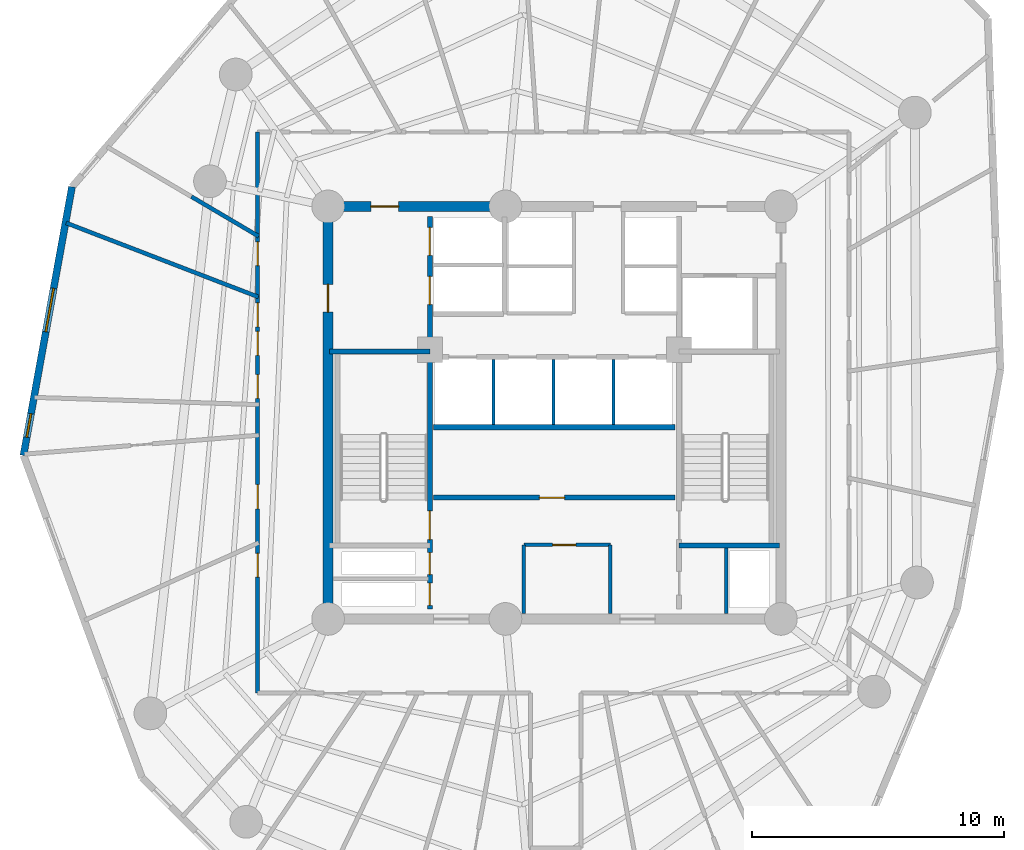
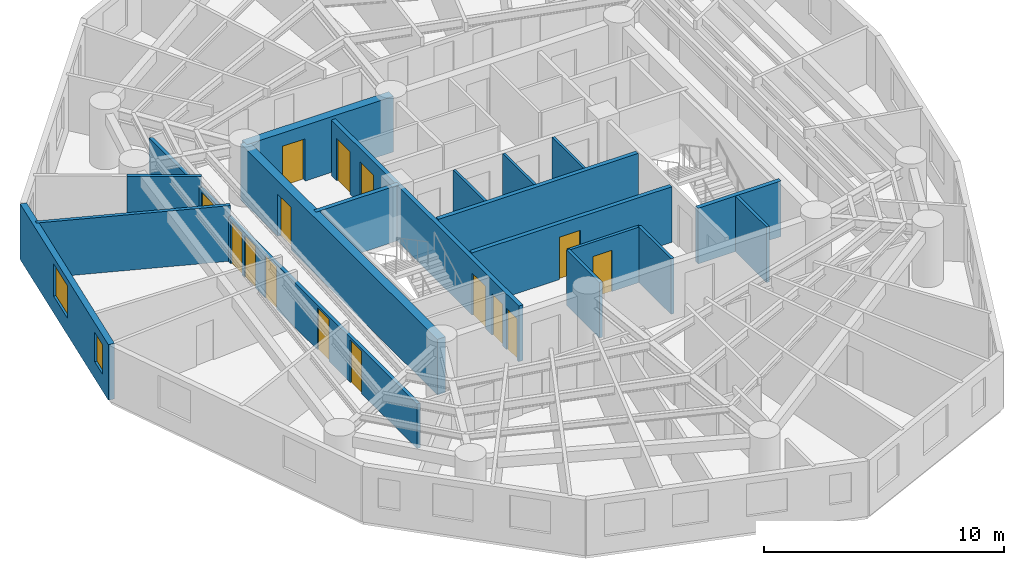
# One storey, part 4 of 8: 18 walls, 15 doors, 2 windows, 17 openings.
"""IFC4 building model written with IfcOpenShell, lengths in metres."""

from ifc_helpers import new_model, si_unit, direction, frame, frame_2d, origin, origin_with_axes, place, context, subcontext, project, spatial, rectangle, extrude, source, transform, mapped, material, layer, layer_set, type_object, element, fill, save


model = new_model("IFC4")

# Units and contexts
model_context = context("Model", 3, precision=1e-05, world=origin(), true_north=direction((0.0, 1.0)))
body_context = subcontext(model_context, "Body", "Model", "MODEL_VIEW")
ifc_project = project(units=[si_unit("LENGTHUNIT", "METRE"), si_unit("AREAUNIT", "SQUARE_METRE"), si_unit("VOLUMEUNIT", "CUBIC_METRE"), si_unit("PLANEANGLEUNIT", "RADIAN"), si_unit("MASSUNIT", "GRAM", prefix="KILO")], contexts=[model_context])

# Site, building, storey
site_placement = place(None, origin())
site = spatial("IfcSite", under=ifc_project, at=site_placement, CompositionType="ELEMENT")
building_placement = place(site_placement, origin())
building = spatial("IfcBuilding", under=site, at=building_placement, Name="Karkom Vertical University and Central Library", CompositionType="ELEMENT")
storey_placement = place(building_placement, frame((0.0, 0.0, 162.64990234375)))
storey = spatial("IfcBuildingStorey", under=building, at=storey_placement, Name="L46", CompositionType="ELEMENT", Elevation=162.64990234375)

# Wall, openings, windows
ifc_material_1 = material(Name="Brick-faced precast concrete C45/55", Category="masonry")
ifc_layer_1 = layer(ifc_material_1, 0.280029296875)
ifc_layer_set_1 = layer_set([ifc_layer_1], Name="Brick-faced precast concrete C45/55")
wall_type_1 = type_object("IfcWallType", Name="ENV-WL-BRK-280", PredefinedType="SOLIDWALL", material=ifc_layer_set_1)
wall_1_placement = place(storey_placement, frame((9.3193359375, 35.47900390625, 0.0), z_axis=(0.0, 0.0, 1.0), x_axis=(-0.177764832346, -0.984072997486, 0.0)))
wall_1 = element("IfcWall", 1, at=wall_1_placement, inside=storey, type_object=wall_type_1, Name="Level 46 Brick-Faced Precast Facade Wall 01", PredefinedType="SOLIDWALL", context=body_context, shape_type="SweptSolid", body=[
    extrude(rectangle(XDim=10.8525390625, YDim=0.280029296875, at=frame_2d((5.42626953125, 0.0))), origin(), (0.0, 0.0, 1.0), 2.8251953125),
])
opening_1_placement = place(wall_1_placement, frame((4.104248046875, 0.0, 0.85009765625)))
opening_1 = element("IfcOpeningElement", 2, at=opening_1_placement, cuts=wall_1, Name="Opening WN-08", PredefinedType="OPENING", context=body_context, shape_type="SweptSolid", body=[
    extrude(rectangle(XDim=1.75, YDim=1.64990234375, at=frame_2d((0.875, 0.824951171875))), frame((0.0, 0.14990234375, 0.0), z_axis=(0.0, -1.0, 0.0), x_axis=(1.0, 0.0, 0.0)), (0.0, 0.0, 1.0), 0.300048828125),
])
opening_2_placement = place(wall_1_placement, frame((9.16748046875, 0.0, 0.85009765625)))
opening_2 = element("IfcOpeningElement", 3, at=opening_2_placement, cuts=wall_1, Name="Opening WN-12", PredefinedType="OPENING", context=body_context, shape_type="SweptSolid", body=[
    extrude(rectangle(XDim=0.949951171875, YDim=1.5, at=frame_2d((0.47509765625, 0.75))), frame((0.0, 0.14990234375, 0.0), z_axis=(0.0, -1.0, 0.0), x_axis=(1.0, 0.0, 0.0)), (0.0, 0.0, 1.0), 0.300048828125),
])
ifc_material_2 = material(Name="Aluminium thermal-break frame with solar-control IGU", Category="aluminium")
window_type_1 = type_object("IfcWindowType", Name="ENV-WIN-WN-12", PartitioningType="SINGLE_PANEL", PredefinedType="WINDOW", material=ifc_material_2)
shared_shape_1 = source(origin_with_axes(), body_context, "Body", "SweptSolid", [
    extrude(rectangle(XDim=0.949951171875, YDim=1.5, at=frame_2d((0.47509765625, 0.75))), frame((0.0, 0.030029296875, 0.0), z_axis=(0.0, -1.0, 0.0), x_axis=(1.0, 0.0, 0.0)), (0.0, 0.0, 1.0), 0.06005859375),
])
window_1_placement = place(opening_2_placement, origin())
window_1 = element("IfcWindow", 4, at=window_1_placement, inside=storey, type_object=window_type_1, Name="Level 46 Punched Window 1.2", OverallHeight=1.5, OverallWidth=0.949951171875, PartitioningType="SINGLE_PANEL", PredefinedType="WINDOW", context=body_context, shape_type="MappedRepresentation", body=[
    mapped(shared_shape_1, transform((0.0, 0.0, 0.0), scale=1.0)),
])
fill(opening_2, window_1)
window_type_2 = type_object("IfcWindowType", Name="ENV-WIN-WN-08", PartitioningType="SINGLE_PANEL", PredefinedType="WINDOW", material=ifc_material_2)
shared_shape_2 = source(origin_with_axes(), body_context, "Body", "SweptSolid", [
    extrude(rectangle(XDim=1.75, YDim=1.64990234375, at=frame_2d((0.875, 0.824951171875))), frame((0.0, 0.030029296875, 0.0), z_axis=(0.0, -1.0, 0.0), x_axis=(1.0, 0.0, 0.0)), (0.0, 0.0, 1.0), 0.06005859375),
])
window_2_placement = place(opening_1_placement, origin())
window_2 = element("IfcWindow", 5, at=window_2_placement, inside=storey, type_object=window_type_2, Name="Level 46 Punched Window 1.1", OverallHeight=1.64990234375, OverallWidth=1.75, PartitioningType="SINGLE_PANEL", PredefinedType="WINDOW", context=body_context, shape_type="MappedRepresentation", body=[
    mapped(shared_shape_2, transform((0.0, 0.0, 0.0), scale=1.0)),
])
fill(opening_1, window_2)

# Wall, openings, doors
ifc_material_3 = material(Name="Insulated metal-stud drywall 160mm", Category="gypsum")
ifc_layer_2 = layer(ifc_material_3, 0.159912109375)
ifc_layer_set_2 = layer_set([ifc_layer_2], Name="Insulated metal-stud drywall 160mm")
wall_type_2 = type_object("IfcWallType", Name="INT-WL-COR-160", PredefinedType="PARTITIONING", material=ifc_layer_set_2)
wall_2_placement = place(storey_placement, frame((16.699951171875, 15.35009765625, 0.0), z_axis=(0.0, 0.0, 1.0), x_axis=(0.0, 1.0, 0.0)))
wall_2 = element("IfcWall", 6, at=wall_2_placement, inside=storey, type_object=wall_type_2, Name="Level 46 Interior Partition Wall L46-CORW-CW-002", PredefinedType="PARTITIONING", context=body_context, shape_type="SweptSolid", body=[
    extrude(rectangle(XDim=22.2998046875, YDim=0.159912109375, at=frame_2d((11.14990234375, 0.0))), origin(), (0.0, 0.0, 1.0), 2.275146484375),
])
opening_3_placement = place(wall_2_placement, frame((11.715087890625, 0.0, 0.0)))
opening_3 = element("IfcOpeningElement", 7, at=opening_3_placement, cuts=wall_2, Name="Opening D-RM1", PredefinedType="OPENING", context=body_context, shape_type="SweptSolid", body=[
    extrude(rectangle(XDim=0.949951171875, YDim=2.14990234375, at=frame_2d((0.47509765625, 1.074951171875))), frame((0.0, 0.08984375, 0.0), z_axis=(0.0, -1.0, 0.0), x_axis=(1.0, 0.0, 0.0)), (0.0, 0.0, 1.0), 0.179931640625),
])
opening_4_placement = place(wall_2_placement, frame((7.330078125, 0.0, 0.0)))
opening_4 = element("IfcOpeningElement", 8, at=opening_4_placement, cuts=wall_2, Name="Opening FD-RM2", PredefinedType="OPENING", context=body_context, shape_type="SweptSolid", body=[
    extrude(rectangle(XDim=0.9599609375, YDim=2.14990234375, at=frame_2d((0.47998046875, 1.074951171875))), frame((0.0, 0.08984375, 0.0), z_axis=(0.0, -1.0, 0.0), x_axis=(1.0, 0.0, 0.0)), (0.0, 0.0, 1.0), 0.179931640625),
])
opening_5_placement = place(wall_2_placement, frame((4.610107421875, 0.0, 0.0)))
opening_5 = element("IfcOpeningElement", 9, at=opening_5_placement, cuts=wall_2, Name="Opening D-RM1", PredefinedType="OPENING", context=body_context, shape_type="SweptSolid", body=[
    extrude(rectangle(XDim=0.949951171875, YDim=2.14990234375, at=frame_2d((0.47509765625, 1.074951171875))), frame((0.0, 0.08984375, 0.0), z_axis=(0.0, -1.0, 0.0), x_axis=(1.0, 0.0, 0.0)), (0.0, 0.0, 1.0), 0.179931640625),
])
opening_6_placement = place(wall_2_placement, frame((16.990478515625, 0.0, 0.0)))
opening_6 = element("IfcOpeningElement", 10, at=opening_6_placement, cuts=wall_2, Name="Opening D-RM1", PredefinedType="OPENING", context=body_context, shape_type="SweptSolid", body=[
    extrude(rectangle(XDim=0.949951171875, YDim=2.14990234375, at=frame_2d((0.47509765625, 1.074951171875))), frame((0.0, 0.08984375, 0.0), z_axis=(0.0, -1.0, 0.0), x_axis=(1.0, 0.0, 0.0)), (0.0, 0.0, 1.0), 0.179931640625),
])
opening_7_placement = place(wall_2_placement, frame((14.56005859375, 0.0, 0.0)))
opening_7 = element("IfcOpeningElement", 11, at=opening_7_placement, cuts=wall_2, Name="Opening D-RM1", PredefinedType="OPENING", context=body_context, shape_type="SweptSolid", body=[
    extrude(rectangle(XDim=0.949951171875, YDim=2.14990234375, at=frame_2d((0.47509765625, 1.074951171875))), frame((0.0, 0.08984375, 0.0), z_axis=(0.0, -1.0, 0.0), x_axis=(1.0, 0.0, 0.0)), (0.0, 0.0, 1.0), 0.179931640625),
])
opening_8_placement = place(wall_2_placement, frame((13.429931640625, 0.0, 0.0)))
opening_8 = element("IfcOpeningElement", 12, at=opening_8_placement, cuts=wall_2, Name="Opening D-RM1", PredefinedType="OPENING", context=body_context, shape_type="SweptSolid", body=[
    extrude(rectangle(XDim=0.949951171875, YDim=2.14990234375, at=frame_2d((0.47509765625, 1.074951171875))), frame((0.0, 0.08984375, 0.0), z_axis=(0.0, -1.0, 0.0), x_axis=(1.0, 0.0, 0.0)), (0.0, 0.0, 1.0), 0.179931640625),
])
ifc_material_4 = material(Name="Fire-rated oak veneer door", Category="wood")
door_type_1 = type_object("IfcDoorType", Name="INT-DR-FRM2", OperationType="NOTDEFINED", PredefinedType="DOOR", material=ifc_material_4)
shared_shape_3 = source(origin_with_axes(), body_context, "Body", "SweptSolid", [
    extrude(rectangle(XDim=0.9599609375, YDim=2.14990234375, at=frame_2d((0.47998046875, 1.074951171875))), frame((0.0, 0.02490234375, 0.0), z_axis=(0.0, -1.0, 0.0), x_axis=(1.0, 0.0, 0.0)), (0.0, 0.0, 1.0), 0.050048828125),
])
door_1_placement = place(opening_4_placement, origin())
door_1 = element("IfcDoor", 13, at=door_1_placement, inside=storey, type_object=door_type_1, Name="Level 46 Room Entry Door 010", OperationType="SINGLE_SWING_RIGHT", OverallHeight=2.14990234375, OverallWidth=0.9599609375, PredefinedType="DOOR", context=body_context, shape_type="MappedRepresentation", body=[
    mapped(shared_shape_3, transform((0.0, 0.0, 0.0), scale=1.0)),
])
fill(opening_4, door_1)
ifc_material_5 = material(Name="Solid-core oak veneer door", Category="wood")
door_type_2 = type_object("IfcDoorType", Name="INT-DR-RM1", OperationType="NOTDEFINED", PredefinedType="DOOR", material=ifc_material_5)
shared_shape_4 = source(origin_with_axes(), body_context, "Body", "SweptSolid", [
    extrude(rectangle(XDim=0.949951171875, YDim=2.14990234375, at=frame_2d((0.47509765625, 1.074951171875))), frame((0.0, 0.02490234375, 0.0), z_axis=(0.0, -1.0, 0.0), x_axis=(1.0, 0.0, 0.0)), (0.0, 0.0, 1.0), 0.050048828125),
])
door_2_placement = place(opening_3_placement, origin())
door_2 = element("IfcDoor", 14, at=door_2_placement, inside=storey, type_object=door_type_2, Name="Level 46 Room Entry Door 000", OperationType="SINGLE_SWING_LEFT", OverallHeight=2.14990234375, OverallWidth=0.949951171875, PredefinedType="DOOR", context=body_context, shape_type="MappedRepresentation", body=[
    mapped(shared_shape_4, transform((0.0, 0.0, 0.0), scale=1.0)),
])
fill(opening_3, door_2)
door_3_placement = place(opening_5_placement, origin())
door_3 = element("IfcDoor", 15, at=door_3_placement, inside=storey, type_object=door_type_2, Name="Level 46 Room Entry Door 020", OperationType="SINGLE_SWING_LEFT", OverallHeight=2.14990234375, OverallWidth=0.949951171875, PredefinedType="DOOR", context=body_context, shape_type="MappedRepresentation", body=[
    mapped(shared_shape_4, transform((0.0, 0.0, 0.0), scale=1.0)),
])
fill(opening_5, door_3)
door_4_placement = place(opening_6_placement, origin())
door_4 = element("IfcDoor", 16, at=door_4_placement, inside=storey, type_object=door_type_2, Name="Level 46 Room Entry Door 250", OperationType="SINGLE_SWING_LEFT", OverallHeight=2.14990234375, OverallWidth=0.949951171875, PredefinedType="DOOR", context=body_context, shape_type="MappedRepresentation", body=[
    mapped(shared_shape_4, transform((0.0, 0.0, 0.0), scale=1.0)),
])
fill(opening_6, door_4)
door_5_placement = place(opening_7_placement, origin())
door_5 = element("IfcDoor", 17, at=door_5_placement, inside=storey, type_object=door_type_2, Name="Level 46 Room Entry Door 260", OperationType="SINGLE_SWING_RIGHT", OverallHeight=2.14990234375, OverallWidth=0.949951171875, PredefinedType="DOOR", context=body_context, shape_type="MappedRepresentation", body=[
    mapped(shared_shape_4, transform((0.0, 0.0, 0.0), scale=1.0)),
])
fill(opening_7, door_5)
door_6_placement = place(opening_8_placement, origin())
door_6 = element("IfcDoor", 18, at=door_6_placement, inside=storey, type_object=door_type_2, Name="Level 46 Room Entry Door 270", OperationType="SINGLE_SWING_LEFT", OverallHeight=2.14990234375, OverallWidth=0.949951171875, PredefinedType="DOOR", context=body_context, shape_type="MappedRepresentation", body=[
    mapped(shared_shape_4, transform((0.0, 0.0, 0.0), scale=1.0)),
])
fill(opening_8, door_6)

# Walls
wall_3_placement = place(storey_placement, frame((16.72802734375, 31.09912109375, 0.0), z_axis=(0.0, 0.0, 1.0), x_axis=(-0.933150299974, 0.359486463805, 0.0)))
element("IfcWall", 19, at=wall_3_placement, inside=storey, type_object=wall_type_2, Name="Level 46 Interior Partition Wall L46-PW-033", PredefinedType="PARTITIONING", context=body_context, shape_type="SweptSolid", body=[
    extrude(rectangle(XDim=8.18896484375, YDim=0.159912109375, at=frame_2d((4.094482421875, 0.0))), origin(), (0.0, 0.0, 1.0), 2.8251953125),
])
wall_4_placement = place(storey_placement, frame((16.73876953125, 33.510986328125, 0.0), z_axis=(0.0, 0.0, 1.0), x_axis=(-0.861200683606, 0.508265071155, 0.0)))
element("IfcWall", 20, at=wall_4_placement, inside=storey, type_object=wall_type_2, Name="Level 46 Interior Partition Wall L46-PW-031", PredefinedType="PARTITIONING", context=body_context, shape_type="SweptSolid", body=[
    extrude(rectangle(XDim=3.10107421875, YDim=0.159912109375, at=frame_2d((1.550537109375, 0.0))), origin(), (0.0, 0.0, 1.0), 2.8251953125),
])
ifc_material_6 = material(Name="Moisture-resistant drywall 120mm", Category="gypsum")
ifc_layer_3 = layer(ifc_material_6, 0.1201171875)
ifc_layer_set_3 = layer_set([ifc_layer_3], Name="Moisture-resistant drywall 120mm")
wall_type_3 = type_object("IfcWallType", Name="INT-WL-INT-120H", PredefinedType="PARTITIONING", material=ifc_layer_set_3)
for number, where, z_axis, x_axis, name in (
    (21, (26.080078125, 26.02001953125, 0.0), (0.0, 0.0, 1.0), (0.0, 1.0, 0.0), "Level 46 Interior Partition Wall L46-CW-PM-DIV1"),
    (22, (28.4599609375, 26.02001953125, 0.0), (0.0, 0.0, 1.0), (0.0, 1.0, 0.0), "Level 46 Interior Partition Wall L46-CW-PM-DIV2"),
    (23, (30.840087890625, 26.02001953125, 0.0), (0.0, 0.0, 1.0), (0.0, 1.0, 0.0), "Level 46 Interior Partition Wall L46-CW-PM-DIV3"),
):
    element("IfcWall", number, at=place(storey_placement, frame(where, z_axis=z_axis, x_axis=x_axis)), inside=storey, type_object=wall_type_3, Name=name, PredefinedType="PARTITIONING", context=body_context, shape_type="SweptSolid", body=[
        extrude(rectangle(XDim=2.60009765625, YDim=0.1201171875, at=frame_2d((1.300048828125, 0.0))), origin(), (0.0, 0.0, 1.0), 2.8251953125),
    ])

# Wall, opening, door
ifc_material_7 = material(Name="Metal-stud gypsum partition 140mm", Category="gypsum")
ifc_layer_4 = layer(ifc_material_7, 0.139892578125)
ifc_layer_set_4 = layer_set([ifc_layer_4], Name="Metal-stud gypsum partition 140mm")
wall_type_4 = type_object("IfcWallType", Name="INT-WL-SUB-140", PredefinedType="PARTITIONING", material=ifc_layer_set_4)
wall_5_placement = place(storey_placement, frame((27.280029296875, 21.239990234375, 0.0), z_axis=(0.0, 0.0, 1.0), x_axis=(1.0, 0.0, 0.0)))
wall_5 = element("IfcWall", 24, at=wall_5_placement, inside=storey, type_object=wall_type_4, Name="Level 46 Interior Partition Wall L46-CW-KBAY-N", PredefinedType="PARTITIONING", context=body_context, shape_type="SweptSolid", body=[
    extrude(rectangle(XDim=3.43994140625, YDim=0.139892578125, at=frame_2d((1.719970703125, 0.0))), origin(), (0.0, 0.0, 1.0), 2.8251953125),
])
opening_9_placement = place(wall_5_placement, frame((1.14990234375, 0.0, 0.0)))
opening_9 = element("IfcOpeningElement", 25, at=opening_9_placement, cuts=wall_5, Name="Opening D-SVC1", PredefinedType="OPENING", context=body_context, shape_type="SweptSolid", body=[
    extrude(rectangle(XDim=0.919921875, YDim=2.10009765625, at=frame_2d((0.4599609375, 1.050048828125))), frame((0.0, 0.080078125, 0.0), z_axis=(0.0, -1.0, 0.0), x_axis=(1.0, 0.0, 0.0)), (0.0, 0.0, 1.0), 0.159912109375),
])
ifc_material_8 = material(Name="Painted timber service door", Category="wood")
door_type_3 = type_object("IfcDoorType", Name="INT-DR-SVC1", OperationType="NOTDEFINED", PredefinedType="DOOR", material=ifc_material_8)
shared_shape_5 = source(origin_with_axes(), body_context, "Body", "SweptSolid", [
    extrude(rectangle(XDim=0.919921875, YDim=2.10009765625, at=frame_2d((0.4599609375, 1.050048828125))), frame((0.0, 0.02490234375, 0.0), z_axis=(0.0, -1.0, 0.0), x_axis=(1.0, 0.0, 0.0)), (0.0, 0.0, 1.0), 0.050048828125),
])
door_7_placement = place(opening_9_placement, origin())
door_7 = element("IfcDoor", 26, at=door_7_placement, inside=storey, type_object=door_type_3, Name="Level 46 Comms Room Door", OperationType="SINGLE_SWING_RIGHT", OverallHeight=2.10009765625, OverallWidth=0.919921875, PredefinedType="DOOR", context=body_context, shape_type="MappedRepresentation", body=[
    mapped(shared_shape_5, transform((0.0, 0.0, 0.0), scale=1.0)),
])
fill(opening_9, door_7)

# Walls
for number, where, z_axis, x_axis, name in (
    (27, (27.280029296875, 18.507080078125, 0.0), (0.0, 0.0, 1.0), (0.0, 1.0, 0.0), "Level 46 Interior Partition Wall L46-CW-KBAY-W"),
    (28, (30.719970703125, 18.507080078125, 0.0), (0.0, 0.0, 1.0), (0.0, 1.0, 0.0), "Level 46 Interior Partition Wall L46-CW-KBAY-E"),
):
    element("IfcWall", number, at=place(storey_placement, frame(where, z_axis=z_axis, x_axis=x_axis)), inside=storey, type_object=wall_type_4, Name=name, PredefinedType="PARTITIONING", context=body_context, shape_type="SweptSolid", body=[
        extrude(rectangle(XDim=2.73291015625, YDim=0.139892578125, at=frame_2d((1.366455078125, 0.0))), origin(), (0.0, 0.0, 1.0), 2.8251953125),
    ])
ifc_layer_5 = layer(ifc_material_7, 0.139892578125)
ifc_layer_set_5 = layer_set([ifc_layer_5], Name="Metal-stud gypsum partition 140mm")
wall_type_5 = type_object("IfcWallType", Name="INT-WL-SUB-140H", PredefinedType="PARTITIONING", material=ifc_layer_set_5)
wall_6_placement = place(storey_placement, frame((35.320068359375, 18.507080078125, 0.0), z_axis=(0.0, 0.0, 1.0), x_axis=(0.0, 1.0, 0.0)))
element("IfcWall", 29, at=wall_6_placement, inside=storey, type_object=wall_type_5, Name="Level 46 Interior Partition Wall L46-CW-RIS-E", PredefinedType="PARTITIONING", context=body_context, shape_type="SweptSolid", body=[
    extrude(rectangle(XDim=2.603759765625, YDim=0.139892578125, at=frame_2d((1.3017578125, 0.0))), origin(), (0.0, 0.0, 1.0), 2.8251953125),
])

# Wall, opening, door
ifc_material_9 = material(Name="Concrete C50/60", Category="concrete")
ifc_layer_6 = layer(ifc_material_9, 0.39990234375)
ifc_layer_set_6 = layer_set([ifc_layer_6], Name="Concrete C50/60")
wall_type_6 = type_object("IfcWallType", Name="STR-WL-CW-400", PredefinedType="SHEAR", material=ifc_layer_set_6)
wall_7_placement = place(storey_placement, frame((26.550048828125, 34.699951171875, 0.0), z_axis=(0.0, 0.0, 1.0), x_axis=(-1.0, 0.0, 0.0)))
wall_7 = element("IfcWall", 30, at=wall_7_placement, inside=storey, type_object=wall_type_6, Name="Level 46 Central Core Shear Wall NW2", PredefinedType="SHEAR", context=body_context, shape_type="SweptSolid", body=[
    extrude(rectangle(XDim=7.050048828125, YDim=0.39990234375, at=frame_2d((3.52490234375, 0.0))), origin(), (0.0, 0.0, 1.0), 2.8251953125),
])
opening_10_placement = place(wall_7_placement, frame((4.25, 0.0, 0.0)))
opening_10 = element("IfcOpeningElement", 31, at=opening_10_placement, cuts=wall_7, Name="Opening FD-FFL", PredefinedType="OPENING", context=body_context, shape_type="SweptSolid", body=[
    extrude(rectangle(XDim=1.10009765625, YDim=2.14990234375, at=frame_2d((0.550048828125, 1.074951171875))), frame((0.0, 0.2099609375, 0.0), z_axis=(0.0, -1.0, 0.0), x_axis=(1.0, 0.0, 0.0)), (0.0, 0.0, 1.0), 0.419921875),
])
ifc_material_10 = material(Name="Painted steel smoke-seal fire door", Category="steel")
door_type_4 = type_object("IfcDoorType", Name="INT-DR-FFL", OperationType="NOTDEFINED", PredefinedType="DOOR", material=ifc_material_10)
shared_shape_6 = source(origin_with_axes(), body_context, "Body", "SweptSolid", [
    extrude(rectangle(XDim=1.10009765625, YDim=2.14990234375, at=frame_2d((0.550048828125, 1.074951171875))), frame((0.0, 0.02490234375, 0.0), z_axis=(0.0, -1.0, 0.0), x_axis=(1.0, 0.0, 0.0)), (0.0, 0.0, 1.0), 0.050048828125),
])
door_8_placement = place(opening_10_placement, origin())
door_8 = element("IfcDoor", 32, at=door_8_placement, inside=storey, type_object=door_type_4, Name="Level 46 Firefighting Lobby Door", OperationType="SINGLE_SWING_LEFT", OverallHeight=2.14990234375, OverallWidth=1.10009765625, PredefinedType="DOOR", context=body_context, shape_type="MappedRepresentation", body=[
    mapped(shared_shape_6, transform((0.0, 0.0, 0.0), scale=1.0)),
])
fill(opening_10, door_8)

wall_8_placement = place(storey_placement, frame((19.5, 34.699951171875, 0.0), z_axis=(0.0, 0.0, 1.0), x_axis=(0.0, -1.0, 0.0)))
wall_8 = element("IfcWall", 33, at=wall_8_placement, inside=storey, type_object=wall_type_6, Name="Level 46 Central Core Shear Wall WW", PredefinedType="SHEAR", context=body_context, shape_type="SweptSolid", body=[
    extrude(rectangle(XDim=16.39990234375, YDim=0.39990234375, at=frame_2d((8.199951171875, 0.0))), origin(), (0.0, 0.0, 1.0), 2.8251953125),
])
opening_11_placement = place(wall_8_placement, frame((3.10009765625, 0.0, 0.0)))
opening_11 = element("IfcOpeningElement", 34, at=opening_11_placement, cuts=wall_8, Name="Opening FD-FFL", PredefinedType="OPENING", context=body_context, shape_type="SweptSolid", body=[
    extrude(rectangle(XDim=1.10009765625, YDim=2.14990234375, at=frame_2d((0.550048828125, 1.074951171875))), frame((0.0, 0.2099609375, 0.0), z_axis=(0.0, -1.0, 0.0), x_axis=(1.0, 0.0, 0.0)), (0.0, 0.0, 1.0), 0.419921875),
])
door_9_placement = place(opening_11_placement, origin())
door_9 = element("IfcDoor", 35, at=door_9_placement, inside=storey, type_object=door_type_4, Name="Level 46 West Corridor Firefighting Lobby Door", OperationType="SINGLE_SWING_RIGHT", OverallHeight=2.14990234375, OverallWidth=1.10009765625, PredefinedType="DOOR", context=body_context, shape_type="MappedRepresentation", body=[
    mapped(shared_shape_6, transform((0.0, 0.0, 0.0), scale=1.0)),
])
fill(opening_11, door_9)

# Wall, openings, doors
ifc_material_11 = material(Name="Concrete C45/55", Category="concrete")
ifc_layer_7 = layer(ifc_material_11, 0.199951171875)
ifc_layer_set_7 = layer_set([ifc_layer_7], Name="Concrete C45/55")
wall_type_7 = type_object("IfcWallType", Name="STR-WL-ST-200", PredefinedType="SHEAR", material=ifc_layer_set_7)
wall_9_placement = place(storey_placement, frame((23.544921875, 18.699951171875, 0.0), z_axis=(0.0, 0.0, 1.0), x_axis=(0.0, 1.0, 0.0)))
wall_9 = element("IfcWall", 36, at=wall_9_placement, inside=storey, type_object=wall_type_7, Name="Level 46 Core Shaft Wall L46-CW-ST1-E", PredefinedType="SHEAR", context=body_context, shape_type="SweptSolid", body=[
    extrude(rectangle(XDim=15.60009765625, YDim=0.199951171875, at=frame_2d((7.800048828125, 0.0))), origin(), (0.0, 0.0, 1.0), 2.8251953125),
])
opening_12_placement = place(wall_9_placement, frame((2.75, 0.0, 0.0)))
opening_12 = element("IfcOpeningElement", 37, at=opening_12_placement, cuts=wall_9, Name="Opening FD-ST1", PredefinedType="OPENING", context=body_context, shape_type="SweptSolid", body=[
    extrude(rectangle(XDim=1.14990234375, YDim=2.14990234375, at=frame_2d((0.574951171875, 1.074951171875))), frame((0.0, 0.10986328125, 0.0), z_axis=(0.0, -1.0, 0.0), x_axis=(1.0, 0.0, 0.0)), (0.0, 0.0, 1.0), 0.219970703125),
])
opening_13_placement = place(wall_9_placement, frame((0.139892578125, 0.0, 0.0)))
opening_13 = element("IfcOpeningElement", 38, at=opening_13_placement, cuts=wall_9, Name="Opening FD-RIS", PredefinedType="OPENING", context=body_context, shape_type="SweptSolid", body=[
    extrude(rectangle(XDim=0.8798828125, YDim=2.10009765625, at=frame_2d((0.43994140625, 1.050048828125))), frame((0.0, 0.10986328125, 0.0), z_axis=(0.0, -1.0, 0.0), x_axis=(1.0, 0.0, 0.0)), (0.0, 0.0, 1.0), 0.219970703125),
])
opening_14_placement = place(wall_9_placement, frame((1.360107421875, 0.0, 0.0)))
opening_14 = element("IfcOpeningElement", 39, at=opening_14_placement, cuts=wall_9, Name="Opening FD-RIS", PredefinedType="OPENING", context=body_context, shape_type="SweptSolid", body=[
    extrude(rectangle(XDim=0.8798828125, YDim=2.10009765625, at=frame_2d((0.43994140625, 1.050048828125))), frame((0.0, 0.10986328125, 0.0), z_axis=(0.0, -1.0, 0.0), x_axis=(1.0, 0.0, 0.0)), (0.0, 0.0, 1.0), 0.219970703125),
])
opening_15_placement = place(wall_9_placement, frame((12.10009765625, 0.0, 0.0)))
opening_15 = element("IfcOpeningElement", 40, at=opening_15_placement, cuts=wall_9, Name="Opening LD-FFL", PredefinedType="OPENING", context=body_context, shape_type="SweptSolid", body=[
    extrude(rectangle(XDim=1.1201171875, YDim=2.14990234375, at=frame_2d((0.56005859375, 1.074951171875))), frame((0.0, 0.10986328125, 0.0), z_axis=(0.0, -1.0, 0.0), x_axis=(1.0, 0.0, 0.0)), (0.0, 0.0, 1.0), 0.219970703125),
])
opening_16_placement = place(wall_9_placement, frame((14.050048828125, 0.0, 0.0)))
opening_16 = element("IfcOpeningElement", 41, at=opening_16_placement, cuts=wall_9, Name="Opening LD-FFL", PredefinedType="OPENING", context=body_context, shape_type="SweptSolid", body=[
    extrude(rectangle(XDim=1.1201171875, YDim=2.14990234375, at=frame_2d((0.56005859375, 1.074951171875))), frame((0.0, 0.10986328125, 0.0), z_axis=(0.0, -1.0, 0.0), x_axis=(1.0, 0.0, 0.0)), (0.0, 0.0, 1.0), 0.219970703125),
])
ifc_material_12 = material(Name="Painted steel acoustic fire door", Category="steel")
door_type_5 = type_object("IfcDoorType", Name="INT-DR-ST1", OperationType="NOTDEFINED", PredefinedType="DOOR", material=ifc_material_12)
shared_shape_7 = source(origin_with_axes(), body_context, "Body", "SweptSolid", [
    extrude(rectangle(XDim=1.14990234375, YDim=2.14990234375, at=frame_2d((0.574951171875, 1.074951171875))), frame((0.0, 0.02490234375, 0.0), z_axis=(0.0, -1.0, 0.0), x_axis=(1.0, 0.0, 0.0)), (0.0, 0.0, 1.0), 0.050048828125),
])
door_10_placement = place(opening_12_placement, origin())
door_10 = element("IfcDoor", 42, at=door_10_placement, inside=storey, type_object=door_type_5, Name="Level 46 Stair ST-1 Fire Door", OperationType="SINGLE_SWING_LEFT", OverallHeight=2.14990234375, OverallWidth=1.14990234375, PredefinedType="DOOR", context=body_context, shape_type="MappedRepresentation", body=[
    mapped(shared_shape_7, transform((0.0, 0.0, 0.0), scale=1.0)),
])
fill(opening_12, door_10)
ifc_material_13 = material(Name="Painted steel riser access door", Category="steel")
door_type_6 = type_object("IfcDoorType", Name="INT-DR-RIS", OperationType="NOTDEFINED", PredefinedType="DOOR", material=ifc_material_13)
shared_shape_8 = source(origin_with_axes(), body_context, "Body", "SweptSolid", [
    extrude(rectangle(XDim=0.8798828125, YDim=2.10009765625, at=frame_2d((0.43994140625, 1.050048828125))), frame((0.0, 0.02490234375, 0.0), z_axis=(0.0, -1.0, 0.0), x_axis=(1.0, 0.0, 0.0)), (0.0, 0.0, 1.0), 0.050048828125),
])
door_11_placement = place(opening_13_placement, origin())
door_11 = element("IfcDoor", 43, at=door_11_placement, inside=storey, type_object=door_type_6, Name="Level 46 Electrical Riser Access Door", OperationType="SINGLE_SWING_LEFT", OverallHeight=2.10009765625, OverallWidth=0.8798828125, PredefinedType="DOOR", context=body_context, shape_type="MappedRepresentation", body=[
    mapped(shared_shape_8, transform((0.0, 0.0, 0.0), scale=1.0)),
])
fill(opening_13, door_11)
door_12_placement = place(opening_14_placement, origin())
door_12 = element("IfcDoor", 44, at=door_12_placement, inside=storey, type_object=door_type_6, Name="Level 46 Telecom Riser Access Door", OperationType="SINGLE_SWING_RIGHT", OverallHeight=2.10009765625, OverallWidth=0.8798828125, PredefinedType="DOOR", context=body_context, shape_type="MappedRepresentation", body=[
    mapped(shared_shape_8, transform((0.0, 0.0, 0.0), scale=1.0)),
])
fill(opening_14, door_12)
ifc_material_14 = material(Name="Fire-rated stainless-steel landing door", Category="steel")
door_type_7 = type_object("IfcDoorType", Name="INT-DR-LD-FFL", OperationType="SLIDING_TO_LEFT", PredefinedType="DOOR", material=ifc_material_14)
shared_shape_9 = source(origin_with_axes(), body_context, "Body", "SweptSolid", [
    extrude(rectangle(XDim=1.1201171875, YDim=2.14990234375, at=frame_2d((0.56005859375, 1.074951171875))), frame((0.0, 0.02490234375, 0.0), z_axis=(0.0, -1.0, 0.0), x_axis=(1.0, 0.0, 0.0)), (0.0, 0.0, 1.0), 0.050048828125),
])
door_13_placement = place(opening_15_placement, origin())
door_13 = element("IfcDoor", 45, at=door_13_placement, inside=storey, type_object=door_type_7, Name="Level 46 Firefighting Lift FFL-1 Landing Door", OperationType="SLIDING_TO_LEFT", OverallHeight=2.14990234375, OverallWidth=1.1201171875, PredefinedType="DOOR", context=body_context, shape_type="MappedRepresentation", body=[
    mapped(shared_shape_9, transform((0.0, 0.0, 0.0), scale=1.0)),
])
fill(opening_15, door_13)
door_14_placement = place(opening_16_placement, origin())
door_14 = element("IfcDoor", 46, at=door_14_placement, inside=storey, type_object=door_type_7, Name="Level 46 Firefighting Lift FFL-2 Landing Door", OperationType="SLIDING_TO_RIGHT", OverallHeight=2.14990234375, OverallWidth=1.1201171875, PredefinedType="DOOR", context=body_context, shape_type="MappedRepresentation", body=[
    mapped(shared_shape_9, transform((0.0, 0.0, 0.0), scale=1.0)),
])
fill(opening_16, door_14)

# Wall, opening, door
wall_10_placement = place(storey_placement, frame((23.699951171875, 23.1201171875, 0.0), z_axis=(0.0, 0.0, 1.0), x_axis=(1.0, 0.0, 0.0)))
wall_10 = element("IfcWall", 47, at=wall_10_placement, inside=storey, type_object=wall_type_7, Name="Level 46 Core Shaft Wall L46-CW-B1-S", PredefinedType="SHEAR", context=body_context, shape_type="SweptSolid", body=[
    extrude(rectangle(XDim=9.60009765625, YDim=0.199951171875, at=frame_2d((4.800048828125, 0.0))), origin(), (0.0, 0.0, 1.0), 2.8251953125),
])
opening_17_placement = place(wall_10_placement, frame((4.199951171875, 0.0, 0.0)))
opening_17 = element("IfcOpeningElement", 48, at=opening_17_placement, cuts=wall_10, Name="Opening D-STR1", PredefinedType="OPENING", context=body_context, shape_type="SweptSolid", body=[
    extrude(rectangle(XDim=1.0, YDim=2.14990234375, at=frame_2d((0.5, 1.074951171875))), frame((0.0, 0.10986328125, 0.0), z_axis=(0.0, -1.0, 0.0), x_axis=(1.0, 0.0, 0.0)), (0.0, 0.0, 1.0), 0.219970703125),
])
ifc_material_15 = material(Name="Solid-core hardwood fire door", Category="wood")
door_type_8 = type_object("IfcDoorType", Name="INT-DR-STR1", OperationType="NOTDEFINED", PredefinedType="DOOR", material=ifc_material_15)
shared_shape_10 = source(origin_with_axes(), body_context, "Body", "SweptSolid", [
    extrude(rectangle(XDim=1.0, YDim=2.14990234375, at=frame_2d((0.5, 1.074951171875))), frame((0.0, 0.02490234375, 0.0), z_axis=(0.0, -1.0, 0.0), x_axis=(1.0, 0.0, 0.0)), (0.0, 0.0, 1.0), 0.050048828125),
])
door_15_placement = place(opening_17_placement, origin())
door_15 = element("IfcDoor", 49, at=door_15_placement, inside=storey, type_object=door_type_8, Name="Level 46 Campus Digital Archive Store Door", OperationType="SINGLE_SWING_LEFT", OverallHeight=2.14990234375, OverallWidth=1.0, PredefinedType="DOOR", context=body_context, shape_type="MappedRepresentation", body=[
    mapped(shared_shape_10, transform((0.0, 0.0, 0.0), scale=1.0)),
])
fill(opening_17, door_15)

# Walls
wall_11_placement = place(storey_placement, frame((23.699951171875, 25.919921875, 0.0), z_axis=(0.0, 0.0, 1.0), x_axis=(1.0, 0.0, 0.0)))
element("IfcWall", 50, at=wall_11_placement, inside=storey, type_object=wall_type_7, Name="Level 46 Core Shaft Wall L46-CW-B1-N", PredefinedType="SHEAR", context=body_context, shape_type="SweptSolid", body=[
    extrude(rectangle(XDim=9.60009765625, YDim=0.199951171875, at=frame_2d((4.800048828125, 0.0))), origin(), (0.0, 0.0, 1.0), 2.8251953125),
])
for number, where, z_axis, x_axis, name in (
    (51, (33.455078125, 21.215087890625, 0.0), (0.0, 0.0, 1.0), (1.0, 0.0, 0.0), "Level 46 Core Shaft Wall L46-CW-ST2-S"),
    (52, (19.550048828125, 28.925048828125, 0.0), (0.0, 0.0, 1.0), (1.0, 0.0, 0.0), "Level 46 Core Shaft Wall L46-CW-ST1-N"),
):
    element("IfcWall", number, at=place(storey_placement, frame(where, z_axis=z_axis, x_axis=x_axis)), inside=storey, type_object=wall_type_7, Name=name, PredefinedType="SHEAR", context=body_context, shape_type="SweptSolid", body=[
        extrude(rectangle(XDim=3.994873046875, YDim=0.199951171875, at=frame_2d((1.99755859375, 0.0))), origin(), (0.0, 0.0, 1.0), 2.8251953125),
    ])

save(model, "model.ifc")
